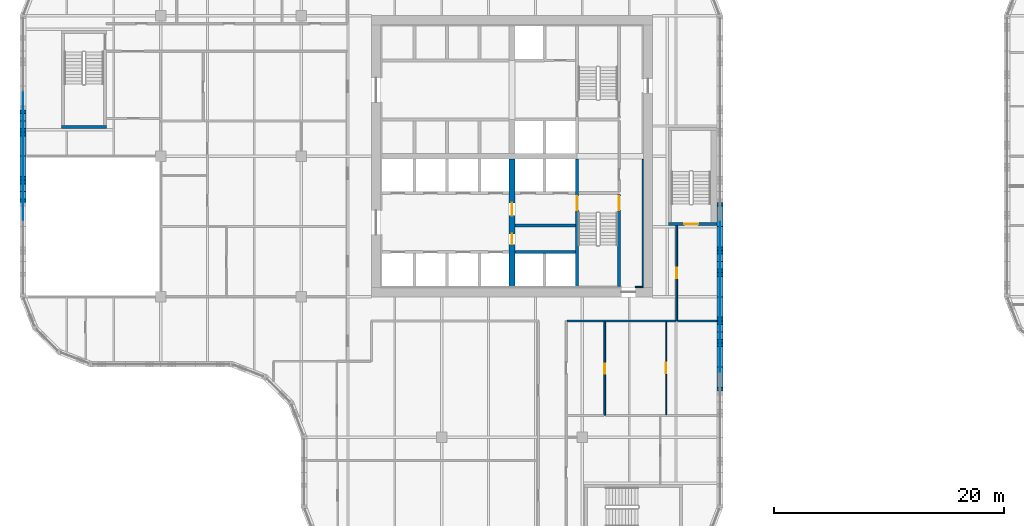
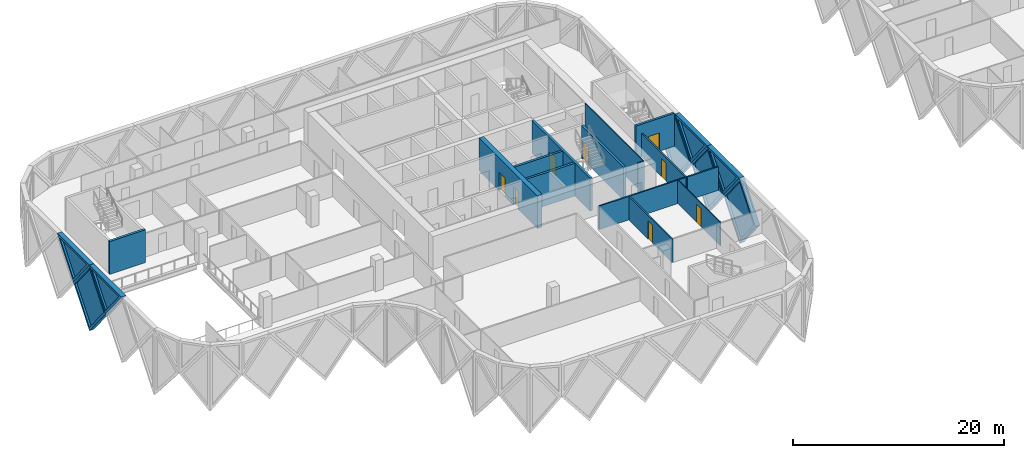
# One storey, part 9 of 24: 22 walls, 8 doors, 8 plates, 16 openings.
"""IFC4 building model written with IfcOpenShell, lengths in metres."""

from ifc_helpers import new_model, si_unit, direction, frame, frame_2d, origin, place, context, subcontext, project, spatial, polyline, rectangle, outline, extrude, faceted_brep, source, transform, mapped, material, layer, layer_set, type_object, element, fill, save


model = new_model("IFC4")

# Units and contexts
model_context = context("Model", 3, precision=1e-05, world=origin(), true_north=direction((0.0, 1.0)))
body_context = subcontext(model_context, "Body", "Model", "MODEL_VIEW")
ifc_project = project(units=[si_unit("LENGTHUNIT", "METRE"), si_unit("AREAUNIT", "SQUARE_METRE"), si_unit("VOLUMEUNIT", "CUBIC_METRE"), si_unit("PLANEANGLEUNIT", "RADIAN"), si_unit("MASSUNIT", "GRAM", prefix="KILO")], contexts=[model_context])

# Site, building, storey
site_placement = place(None, origin())
site = spatial("IfcSite", under=ifc_project, at=site_placement, CompositionType="ELEMENT")
building_placement = place(site_placement, origin())
building = spatial("IfcBuilding", under=site, at=building_placement, Name="Tessera Gate Towers", CompositionType="ELEMENT")
storey_placement = place(building_placement, frame((0.0, 0.0, 102.800048828125)))
storey = spatial("IfcBuildingStorey", under=building, at=storey_placement, Name="L25", CompositionType="ELEMENT", Elevation=102.800048828125)

# Wall, opening, door
ifc_material_1 = material(Name="Concrete C40/50", Category="concrete")
ifc_layer_1 = layer(ifc_material_1, 0.25)
ifc_layer_set_1 = layer_set([ifc_layer_1], Name="CORE ENCLOSURE WALL 250")
wall_type_1 = type_object("IfcWallType", Name="CORE ENCLOSURE WALL 250", PredefinedType="SOLIDWALL", material=ifc_layer_set_1)
wall_1_placement = place(storey_placement, frame((48.35009765625, 36.35009765625, 0.0), z_axis=(0.0, 0.0, 1.0), x_axis=(0.0, -1.0, 0.0)))
wall_1 = element("IfcWall", 1, at=wall_1_placement, inside=storey, type_object=wall_type_1, Name="L25 shaft and stair enclosure wall", PredefinedType="SOLIDWALL", context=body_context, shape_type="SweptSolid", body=[
    extrude(rectangle(XDim=11.050048828125, YDim=0.25, at=frame_2d((5.52490234375, 0.0))), origin(), (0.0, 0.0, 1.0), 3.800048828125),
])
shared_shape_1 = source(origin(), body_context, "Body", "SweptSolid", [
    extrude(rectangle(XDim=1.199951171875, YDim=2.10009765625, at=frame_2d((0.60009765625, 1.050048828125))), frame((0.0, 0.135009765625, 0.0), z_axis=(0.0, -1.0, 0.0), x_axis=(1.0, 0.0, 0.0)), (0.0, 0.0, 1.0), 0.27001953125),
])
opening_1_placement = place(wall_1_placement, frame((3.22509765625, 0.0, 0.0)))
opening_1 = element("IfcOpeningElement", 2, at=opening_1_placement, cuts=wall_1, Name="Opening SD-ST1-1", PredefinedType="OPENING", context=body_context, shape_type="MappedRepresentation", body=[
    mapped(shared_shape_1, transform((0.0, 0.0, 0.0), scale=1.0)),
])
ifc_material_2 = material(Name="Hollow steel fire door", Category="steel")
door_type_1 = type_object("IfcDoorType", Name="CORE DOOR SD 1200x2100", OperationType="NOTDEFINED", PredefinedType="DOOR", material=ifc_material_2)
shared_shape_2 = source(origin(), body_context, "Body", "SweptSolid", [
    extrude(rectangle(XDim=1.199951171875, YDim=2.10009765625, at=frame_2d((0.60009765625, 1.050048828125))), frame((0.0, 0.02490234375, 0.0), z_axis=(0.0, -1.0, 0.0), x_axis=(1.0, 0.0, 0.0)), (0.0, 0.0, 1.0), 0.050048828125),
])
door_1_placement = place(opening_1_placement, origin())
door_1 = element("IfcDoor", 3, at=door_1_placement, inside=storey, type_object=door_type_1, Name="Stair door", OperationType="SINGLE_SWING_LEFT", OverallHeight=2.10009765625, OverallWidth=1.199951171875, PredefinedType="DOOR", context=body_context, shape_type="MappedRepresentation", body=[
    mapped(shared_shape_2, transform((0.0, 0.0, 0.0), scale=1.0)),
])
fill(opening_1, door_1)

# Wall
wall_2_placement = place(storey_placement, frame((42.949951171875, 28.300048828125, 0.0), z_axis=(0.0, 0.0, 1.0), x_axis=(1.0, 0.0, 0.0)))
element("IfcWall", 4, at=wall_2_placement, inside=storey, type_object=wall_type_1, Name="L25 shaft and stair enclosure wall", PredefinedType="SOLIDWALL", context=body_context, shape_type="SweptSolid", body=[
    extrude(rectangle(XDim=5.275146484375, YDim=0.25, at=frame_2d((2.6376953125, 0.0))), origin(), (0.0, 0.0, 1.0), 3.800048828125),
])

# Wall, opening, door
wall_3_placement = place(storey_placement, frame((52.0, 25.300048828125, 0.0), z_axis=(0.0, 0.0, 1.0), x_axis=(0.0, 1.0, 0.0)))
wall_3 = element("IfcWall", 5, at=wall_3_placement, inside=storey, type_object=wall_type_1, Name="L25 shaft and stair enclosure wall", PredefinedType="SOLIDWALL", context=body_context, shape_type="SweptSolid", body=[
    extrude(rectangle(XDim=7.974853515625, YDim=0.25, at=frame_2d((3.9873046875, 0.0))), origin(), (0.0, 0.0, 1.0), 3.800048828125),
])
opening_2_placement = place(wall_3_placement, frame((6.625, 0.0, 0.0)))
opening_2 = element("IfcOpeningElement", 6, at=opening_2_placement, cuts=wall_3, Name="Opening SD-ST1-2", PredefinedType="OPENING", context=body_context, shape_type="MappedRepresentation", body=[
    mapped(shared_shape_1, transform((0.0, 0.0, 0.0), scale=1.0)),
])
door_2_placement = place(opening_2_placement, origin())
door_2 = element("IfcDoor", 7, at=door_2_placement, inside=storey, type_object=door_type_1, Name="Stair door", OperationType="SINGLE_SWING_RIGHT", OverallHeight=2.10009765625, OverallWidth=1.199951171875, PredefinedType="DOOR", context=body_context, shape_type="MappedRepresentation", body=[
    mapped(shared_shape_2, transform((0.0, 0.0, 0.0), scale=1.0)),
])
fill(opening_2, door_2)

# Walls
wall_4_placement = place(storey_placement, frame((42.949951171875, 30.60009765625, 0.0), z_axis=(0.0, 0.0, 1.0), x_axis=(1.0, 0.0, 0.0)))
element("IfcWall", 8, at=wall_4_placement, inside=storey, type_object=wall_type_1, Name="L25 shaft and stair enclosure wall", PredefinedType="SOLIDWALL", context=body_context, shape_type="SweptSolid", body=[
    extrude(rectangle(XDim=5.275146484375, YDim=0.25, at=frame_2d((2.6376953125, 0.0))), origin(), (0.0, 0.0, 1.0), 3.800048828125),
])
wall_5_placement = place(storey_placement, frame((7.5, 39.125, 0.0), z_axis=(0.0, 0.0, 1.0), x_axis=(-1.0, 0.0, 0.0)))
element("IfcWall", 9, at=wall_5_placement, inside=storey, type_object=wall_type_1, Name="L25 ST3 enclosure wall", PredefinedType="SOLIDWALL", context=body_context, shape_type="SweptSolid", body=[
    extrude(rectangle(XDim=3.89990234375, YDim=0.25, at=frame_2d((1.949951171875, 0.0))), origin(), (0.0, 0.0, 1.0), 3.800048828125),
])

# Wall, opening, door
wall_6_placement = place(storey_placement, frame((60.5, 30.72509765625, 0.0), z_axis=(0.0, 0.0, 1.0), x_axis=(-1.0, 0.0, 0.0)))
wall_6 = element("IfcWall", 10, at=wall_6_placement, inside=storey, type_object=wall_type_1, Name="L25 ST5 enclosure wall", PredefinedType="SOLIDWALL", context=body_context, shape_type="SweptSolid", body=[
    extrude(rectangle(XDim=4.199951171875, YDim=0.25, at=frame_2d((2.10009765625, 0.0))), origin(), (0.0, 0.0, 1.0), 3.800048828125),
])
opening_3_placement = place(wall_6_placement, frame((1.64990234375, 0.0, 0.0)))
opening_3 = element("IfcOpeningElement", 11, at=opening_3_placement, cuts=wall_6, Name="Opening SD-ST5-1", PredefinedType="OPENING", context=body_context, shape_type="MappedRepresentation", body=[
    mapped(shared_shape_1, transform((0.0, 0.0, 0.0), scale=1.0)),
])
door_3_placement = place(opening_3_placement, origin())
door_3 = element("IfcDoor", 12, at=door_3_placement, inside=storey, type_object=door_type_1, Name="Stair door", OperationType="SINGLE_SWING_RIGHT", OverallHeight=2.10009765625, OverallWidth=1.199951171875, PredefinedType="DOOR", context=body_context, shape_type="MappedRepresentation", body=[
    mapped(shared_shape_2, transform((0.0, 0.0, 0.0), scale=1.0)),
])
fill(opening_3, door_3)

# Wall, openings, doors
ifc_material_3 = material(Name="Concrete C60/75", Category="concrete")
ifc_layer_2 = layer(ifc_material_3, 0.5)
ifc_layer_set_2 = layer_set([ifc_layer_2], Name="CORE SPINE WALL 500 C60/75")
wall_type_2 = type_object("IfcWallType", Name="CORE SPINE WALL 500 C60/75", PredefinedType="SHEAR", material=ifc_layer_set_2)
wall_7_placement = place(storey_placement, frame((42.699951171875, 36.35009765625, 0.0), z_axis=(0.0, 0.0, 1.0), x_axis=(0.0, -1.0, 0.0)))
wall_7 = element("IfcWall", 13, at=wall_7_placement, inside=storey, type_object=wall_type_2, Name="Core wall spine L25", PredefinedType="SHEAR", context=body_context, shape_type="SweptSolid", body=[
    extrude(rectangle(XDim=11.050048828125, YDim=0.5, at=frame_2d((5.52490234375, 0.0))), origin(), (0.0, 0.0, 1.0), 3.800048828125),
])
shared_shape_3 = source(origin(), body_context, "Body", "SweptSolid", [
    extrude(rectangle(XDim=0.89990234375, YDim=2.10009765625, at=frame_2d((0.449951171875, 1.050048828125))), frame((0.0, 0.260009765625, 0.0), z_axis=(0.0, -1.0, 0.0), x_axis=(1.0, 0.0, 0.0)), (0.0, 0.0, 1.0), 0.52001953125),
])
opening_4_placement = place(wall_7_placement, frame((6.5, 0.0, 0.0)))
opening_4 = element("IfcOpeningElement", 14, at=opening_4_placement, cuts=wall_7, Name="Opening RD-T1-17-05", PredefinedType="OPENING", context=body_context, shape_type="MappedRepresentation", body=[
    mapped(shared_shape_3, transform((0.0, 0.0, 0.0), scale=1.0)),
])
shared_shape_4 = source(origin(), body_context, "Body", "SweptSolid", [
    extrude(rectangle(XDim=1.10009765625, YDim=2.10009765625, at=frame_2d((0.550048828125, 1.050048828125))), frame((0.0, 0.260009765625, 0.0), z_axis=(0.0, -1.0, 0.0), x_axis=(1.0, 0.0, 0.0)), (0.0, 0.0, 1.0), 0.52001953125),
])
opening_5_placement = place(wall_7_placement, frame((3.800048828125, 0.0, 0.0)))
opening_5 = element("IfcOpeningElement", 15, at=opening_5_placement, cuts=wall_7, Name="Opening FD-T1-17-06", PredefinedType="OPENING", context=body_context, shape_type="MappedRepresentation", body=[
    mapped(shared_shape_4, transform((0.0, 0.0, 0.0), scale=1.0)),
])
ifc_material_4 = material(Name="Hollow steel fire door", Category="steel")
door_type_2 = type_object("IfcDoorType", Name="CORE DOOR RD 900x2100", OperationType="NOTDEFINED", PredefinedType="DOOR", material=ifc_material_4)
shared_shape_5 = source(origin(), body_context, "Body", "SweptSolid", [
    extrude(rectangle(XDim=0.89990234375, YDim=2.10009765625, at=frame_2d((0.449951171875, 1.050048828125))), frame((0.0, 0.02490234375, 0.0), z_axis=(0.0, -1.0, 0.0), x_axis=(1.0, 0.0, 0.0)), (0.0, 0.0, 1.0), 0.050048828125),
])
door_4_placement = place(opening_4_placement, origin())
door_4 = element("IfcDoor", 16, at=door_4_placement, inside=storey, type_object=door_type_2, Name="Core room door", OperationType="SINGLE_SWING_RIGHT", OverallHeight=2.10009765625, OverallWidth=0.89990234375, PredefinedType="DOOR", context=body_context, shape_type="MappedRepresentation", body=[
    mapped(shared_shape_5, transform((0.0, 0.0, 0.0), scale=1.0)),
])
fill(opening_4, door_4)
ifc_material_5 = material(Name="Hollow steel fire door", Category="steel")
door_type_3 = type_object("IfcDoorType", Name="CORE DOOR FD 1100x2100", OperationType="NOTDEFINED", PredefinedType="DOOR", material=ifc_material_5)
shared_shape_6 = source(origin(), body_context, "Body", "SweptSolid", [
    extrude(rectangle(XDim=1.10009765625, YDim=2.10009765625, at=frame_2d((0.550048828125, 1.050048828125))), frame((0.0, 0.02490234375, 0.0), z_axis=(0.0, -1.0, 0.0), x_axis=(1.0, 0.0, 0.0)), (0.0, 0.0, 1.0), 0.050048828125),
])
door_5_placement = place(opening_5_placement, origin())
door_5 = element("IfcDoor", 17, at=door_5_placement, inside=storey, type_object=door_type_3, Name="Fire-fighting lobby door", OperationType="SINGLE_SWING_LEFT", OverallHeight=2.10009765625, OverallWidth=1.10009765625, PredefinedType="DOOR", context=body_context, shape_type="MappedRepresentation", body=[
    mapped(shared_shape_6, transform((0.0, 0.0, 0.0), scale=1.0)),
])
fill(opening_5, door_5)

# Walls
ifc_material_6 = material(Name="Concrete C60/75", Category="concrete")
ifc_layer_3 = layer(ifc_material_6, 0.10009765625)
ifc_layer_set_3 = layer_set([ifc_layer_3], Name="CORE WALL THICKENING 100")
wall_type_3 = type_object("IfcWallType", Name="CORE WALL THICKENING 100", PredefinedType="SOLIDWALL", material=ifc_layer_set_3)
wall_8_placement = place(storey_placement, frame((53.39990234375, 25.25, 0.0), z_axis=(0.0, 0.0, 1.0), x_axis=(1.0, 0.0, 0.0)))
element("IfcWall", 18, at=wall_8_placement, inside=storey, type_object=wall_type_3, Name="Core wall thickening S L25", PredefinedType="SOLIDWALL", context=body_context, shape_type="SweptSolid", body=[
    extrude(rectangle(XDim=0.7001953125, YDim=0.10009765625, at=frame_2d((0.35009765625, 0.0))), origin(), (0.0, 0.0, 1.0), 3.800048828125),
])
wall_9_placement = place(storey_placement, frame((54.050048828125, 25.300048828125, 0.0), z_axis=(0.0, 0.0, 1.0), x_axis=(0.0, 1.0, 0.0)))
element("IfcWall", 19, at=wall_9_placement, inside=storey, type_object=wall_type_3, Name="Core wall thickening E L25", PredefinedType="SOLIDWALL", context=body_context, shape_type="SweptSolid", body=[
    extrude(rectangle(XDim=11.02001953125, YDim=0.10009765625, at=frame_2d((5.510009765625, 0.0))), origin(), (0.0, 0.0, 1.0), 3.800048828125),
])
ifc_material_7 = material(Name="Gypsum board on steel studs, mineral wool", Category="steel")
ifc_layer_4 = layer(ifc_material_7, 0.14990234375)
ifc_layer_set_4 = layer_set([ifc_layer_4], Name="CORRIDOR WALL 150")
wall_type_4 = type_object("IfcWallType", Name="CORRIDOR WALL 150", PredefinedType="PARTITIONING", material=ifc_layer_set_4)
wall_10_placement = place(storey_placement, frame((47.47607421875, 22.300048828125, 0.0), z_axis=(0.0, 0.0, 1.0), x_axis=(1.0, 0.0, 0.0)))
element("IfcWall", 20, at=wall_10_placement, inside=storey, type_object=wall_type_4, Name="T1-L25-PW-024", PredefinedType="PARTITIONING", context=body_context, shape_type="SweptSolid", body=[
    extrude(rectangle(XDim=9.447998046875, YDim=0.14990234375, at=frame_2d((4.72412109375, 0.0))), origin(), (0.0, 0.0, 1.0), 2.71484375),
])

# Wall, opening, door
wall_11_placement = place(storey_placement, frame((57.0, 30.60009765625, 0.0), z_axis=(0.0, 0.0, 1.0), x_axis=(0.0, -1.0, 0.0)))
wall_11 = element("IfcWall", 21, at=wall_11_placement, inside=storey, type_object=wall_type_4, Name="T1-L25-PW-025", PredefinedType="PARTITIONING", context=body_context, shape_type="SweptSolid", body=[
    extrude(rectangle(XDim=8.300048828125, YDim=0.14990234375, at=frame_2d((4.14990234375, 0.0))), origin(), (0.0, 0.0, 1.0), 2.71484375),
])
shared_shape_7 = source(origin(), body_context, "Body", "SweptSolid", [
    extrude(rectangle(XDim=0.89990234375, YDim=2.10009765625, at=frame_2d((0.449951171875, 1.050048828125))), frame((0.0, 0.0849609375, 0.0), z_axis=(0.0, -1.0, 0.0), x_axis=(1.0, 0.0, 0.0)), (0.0, 0.0, 1.0), 0.169921875),
])
opening_6_placement = place(wall_11_placement, frame((3.699951171875, 0.0, 0.0)))
opening_6 = element("IfcOpeningElement", 22, at=opening_6_placement, cuts=wall_11, Name="Opening D890FD60-A09-06", PredefinedType="OPENING", context=body_context, shape_type="MappedRepresentation", body=[
    mapped(shared_shape_7, transform((0.0, 0.0, 0.0), scale=1.0)),
])
ifc_material_8 = material(Name="Timber door leaf in steel frame", Category="steel")
door_type_4 = type_object("IfcDoorType", Name="CORRIDOR DOOR 900 FD60", OperationType="NOTDEFINED", PredefinedType="DOOR", material=ifc_material_8)
door_6_placement = place(opening_6_placement, origin())
door_6 = element("IfcDoor", 23, at=door_6_placement, inside=storey, type_object=door_type_4, Name="T1-L25-PD-023", OperationType="SINGLE_SWING_RIGHT", OverallHeight=2.10009765625, OverallWidth=0.89990234375, PredefinedType="DOOR", context=body_context, shape_type="MappedRepresentation", body=[
    mapped(shared_shape_5, transform((0.0, 0.0, 0.0), scale=1.0)),
])
fill(opening_6, door_6)

ifc_material_9 = material(Name="Gypsum board on steel studs", Category="steel")
ifc_layer_5 = layer(ifc_material_9, 0.10009765625)
ifc_layer_set_5 = layer_set([ifc_layer_5], Name="PARTITION 100")
wall_type_5 = type_object("IfcWallType", Name="PARTITION 100", PredefinedType="PARTITIONING", material=ifc_layer_set_5)
wall_12_placement = place(storey_placement, frame((56.076904296875, 22.22412109375, 0.0), z_axis=(0.0, 0.0, 1.0), x_axis=(0.0, -1.0, 0.0)))
wall_12 = element("IfcWall", 24, at=wall_12_placement, inside=storey, type_object=wall_type_5, Name="T1-L25-PW-015", PredefinedType="PARTITIONING", context=body_context, shape_type="SweptSolid", body=[
    extrude(rectangle(XDim=8.048095703125, YDim=0.10009765625, at=frame_2d((4.02392578125, 0.0))), origin(), (0.0, 0.0, 1.0), 2.71484375),
])
shared_shape_8 = source(origin(), body_context, "Body", "SweptSolid", [
    extrude(rectangle(XDim=0.89990234375, YDim=2.10009765625, at=frame_2d((0.449951171875, 1.050048828125))), frame((0.0, 0.06005859375, 0.0), z_axis=(0.0, -1.0, 0.0), x_axis=(1.0, 0.0, 0.0)), (0.0, 0.0, 1.0), 0.1201171875),
])
opening_7_placement = place(wall_12_placement, frame((3.548095703125, 0.0, 0.0)))
opening_7 = element("IfcOpeningElement", 25, at=opening_7_placement, cuts=wall_12, Name="Opening D190-A09-10", PredefinedType="OPENING", context=body_context, shape_type="MappedRepresentation", body=[
    mapped(shared_shape_8, transform((0.0, 0.0, 0.0), scale=1.0)),
])
ifc_material_10 = material(Name="Timber door leaf in steel frame", Category="steel")
door_type_5 = type_object("IfcDoorType", Name="INTERNAL DOOR 900 NOT RATED", OperationType="NOTDEFINED", PredefinedType="DOOR", material=ifc_material_10)
door_7_placement = place(opening_7_placement, origin())
door_7 = element("IfcDoor", 26, at=door_7_placement, inside=storey, type_object=door_type_5, Name="T1-L25-PD-020", OperationType="SINGLE_SWING_RIGHT", OverallHeight=2.10009765625, OverallWidth=0.89990234375, PredefinedType="DOOR", context=body_context, shape_type="MappedRepresentation", body=[
    mapped(shared_shape_5, transform((0.0, 0.0, 0.0), scale=1.0)),
])
fill(opening_7, door_7)

ifc_material_11 = material(Name="Gypsum board on steel studs, mineral wool", Category="steel")
ifc_layer_6 = layer(ifc_material_11, 0.14990234375)
ifc_layer_set_6 = layer_set([ifc_layer_6], Name="TENANCY WALL 150")
wall_type_6 = type_object("IfcWallType", Name="TENANCY WALL 150", PredefinedType="PARTITIONING", material=ifc_layer_set_6)
wall_13_placement = place(storey_placement, frame((50.75, 22.22412109375, 0.0), z_axis=(0.0, 0.0, 1.0), x_axis=(0.0, -1.0, 0.0)))
wall_13 = element("IfcWall", 27, at=wall_13_placement, inside=storey, type_object=wall_type_6, Name="T1-L25-PW-013", PredefinedType="PARTITIONING", context=body_context, shape_type="SweptSolid", body=[
    extrude(rectangle(XDim=8.1240234375, YDim=0.14990234375, at=frame_2d((4.06201171875, 0.0))), origin(), (0.0, 0.0, 1.0), 2.71484375),
])
opening_8_placement = place(wall_13_placement, frame((3.6240234375, 0.0, 0.0)))
opening_8 = element("IfcOpeningElement", 28, at=opening_8_placement, cuts=wall_13, Name="Opening D190-A09-11", PredefinedType="OPENING", context=body_context, shape_type="MappedRepresentation", body=[
    mapped(shared_shape_7, transform((0.0, 0.0, 0.0), scale=1.0)),
])
door_8_placement = place(opening_8_placement, origin())
door_8 = element("IfcDoor", 29, at=door_8_placement, inside=storey, type_object=door_type_5, Name="T1-L25-PD-021", OperationType="SINGLE_SWING_RIGHT", OverallHeight=2.10009765625, OverallWidth=0.89990234375, PredefinedType="DOOR", context=body_context, shape_type="MappedRepresentation", body=[
    mapped(shared_shape_5, transform((0.0, 0.0, 0.0), scale=1.0)),
])
fill(opening_8, door_8)

# Wall
wall_14_placement = place(storey_placement, frame((57.075927734375, 22.300048828125, 0.0), z_axis=(0.0, 0.0, 1.0), x_axis=(1.0, 0.0, 0.0)))
element("IfcWall", 30, at=wall_14_placement, inside=storey, type_object=wall_type_6, Name="T1-L25-PW-026", PredefinedType="PARTITIONING", context=body_context, shape_type="SweptSolid", body=[
    extrude(rectangle(XDim=3.424072265625, YDim=0.14990234375, at=frame_2d((1.7119140625, 0.0))), origin(), (0.0, 0.0, 1.0), 2.71484375),
])

# Wall, opening, plate
ifc_material_12 = material(Name="Precast concrete C60/75 white", Category="concrete")
ifc_layer_7 = layer(ifc_material_12, 0.5)
ifc_layer_set_7 = layer_set([ifc_layer_7], Name="TS1 tessera")
wall_type_7 = type_object("IfcWallType", Name="TS1 tessera", PredefinedType="SOLIDWALL", material=ifc_layer_set_7)
shared_shape_9 = source(origin(), body_context, "Body", "Brep", [
    faceted_brep([(3.050048828125, -0.25, 0.0), (6.099853515625, -0.25, 3.7998046875), (6.099853515625, -0.25, 3.80029296875), (3.050048828125, -0.25, 7.60009765625), (0.0, -0.25, 3.800048828125), (0.0, 0.25, 3.800048828125), (3.050048828125, 0.25, 7.60009765625), (6.099853515625, 0.25, 3.80029296875), (6.099853515625, 0.25, 3.7998046875), (3.050048828125, 0.25, 0.0)], [[[0, 1, 2, 3, 4]], [[5, 6, 7, 8, 9]], [[9, 8, 1, 0]], [[7, 6, 3, 2]], [[6, 5, 4, 3]], [[5, 9, 0, 4]], [[1, 8, 7, 2]]]),
])
wall_15_placement = place(storey_placement, frame((60.75, 21.35009765625, -3.800048828125), z_axis=(0.0, 0.0, 1.0), x_axis=(0.0, 1.0, 0.0)))
wall_15 = element("IfcWall", 31, at=wall_15_placement, inside=storey, type_object=wall_type_7, Name="Precast tessera T1 TS1-0420", PredefinedType="SOLIDWALL", context=body_context, shape_type="MappedRepresentation", body=[
    mapped(shared_shape_9, transform((0.0, 0.0, 0.0), scale=1.0)),
])
shared_shape_10 = source(origin(), body_context, "Body", "SweptSolid", [
    extrude(outline(polyline([(3.050048828125, 0.3994140625), (5.779541015625, 3.800048828125), (3.050048828125, 7.20068359375), (0.320556640625, 3.800048828125), (3.050048828125, 0.3994140625)])), frame((0.0, 0.260009765625, 0.0), z_axis=(0.0, -1.0, 0.0), x_axis=(1.0, 0.0, 0.0)), (0.0, 0.0, 1.0), 0.52001953125),
])
opening_9_placement = place(wall_15_placement, origin())
opening_9 = element("IfcOpeningElement", 32, at=opening_9_placement, cuts=wall_15, Name="Opening T1-PL2-0856", PredefinedType="OPENING", context=body_context, shape_type="MappedRepresentation", body=[
    mapped(shared_shape_10, transform((0.0, 0.0, 0.0), scale=1.0)),
])
ifc_material_13 = material(Name="Low-e laminated glass", Category="glass")
ifc_layer_8 = layer(ifc_material_13, 0.06005859375)
ifc_layer_set_8 = layer_set([ifc_layer_8], Name="PL2 rhombic pane")
plate_type_1 = type_object("IfcPlateType", Name="PL2 rhombic pane", PredefinedType="SHEET", material=ifc_layer_set_8)
shared_shape_11 = source(origin(), body_context, "Body", "SweptSolid", [
    extrude(outline(polyline([(3.050048828125, 0.3994140625), (5.779541015625, 3.800048828125), (3.050048828125, 7.20068359375), (0.320556640625, 3.800048828125), (3.050048828125, 0.3994140625)])), frame((0.0, 0.030029296875, 0.0), z_axis=(0.0, -1.0, 0.0), x_axis=(1.0, 0.0, 0.0)), (0.0, 0.0, 1.0), 0.06005859375),
])
plate_1_placement = place(opening_9_placement, origin())
plate_1 = element("IfcPlate", 33, at=plate_1_placement, inside=storey, type_object=plate_type_1, Name="Glass pane T1 PL2-0856", PredefinedType="SHEET", context=body_context, shape_type="MappedRepresentation", body=[
    mapped(shared_shape_11, transform((0.0, 0.0, 0.0), scale=1.0)),
])
fill(opening_9, plate_1)

wall_16_placement = place(storey_placement, frame((0.25, 39.64990234375, -3.800048828125), z_axis=(0.0, 0.0, 1.0), x_axis=(0.0, -1.0, 0.0)))
wall_16 = element("IfcWall", 34, at=wall_16_placement, inside=storey, type_object=wall_type_7, Name="Precast tessera T1 TS1-0433", PredefinedType="SOLIDWALL", context=body_context, shape_type="MappedRepresentation", body=[
    mapped(shared_shape_9, transform((0.0, 0.0, 0.0), scale=1.0)),
])
opening_10_placement = place(wall_16_placement, origin())
opening_10 = element("IfcOpeningElement", 35, at=opening_10_placement, cuts=wall_16, Name="Opening T1-PL2-0877", PredefinedType="OPENING", context=body_context, shape_type="MappedRepresentation", body=[
    mapped(shared_shape_10, transform((0.0, 0.0, 0.0), scale=1.0)),
])
plate_2_placement = place(opening_10_placement, origin())
plate_2 = element("IfcPlate", 36, at=plate_2_placement, inside=storey, type_object=plate_type_1, Name="Glass pane T1 PL2-0877", PredefinedType="SHEET", context=body_context, shape_type="MappedRepresentation", body=[
    mapped(shared_shape_11, transform((0.0, 0.0, 0.0), scale=1.0)),
])
fill(opening_10, plate_2)

shared_shape_12 = source(origin(), body_context, "Body", "SweptSolid", [
    extrude(outline(polyline([(3.050048828125, 0.0), (6.10009765625, 3.800048828125), (3.050048828125, 7.60009765625), (0.0, 3.800048828125), (3.050048828125, 0.0)])), frame((0.0, 0.25, 0.0), z_axis=(0.0, -1.0, 0.0), x_axis=(1.0, 0.0, 0.0)), (0.0, 0.0, 1.0), 0.5),
])
wall_17_placement = place(storey_placement, frame((60.75, 15.25, -3.800048828125), z_axis=(0.0, 0.0, 1.0), x_axis=(0.0, 1.0, 0.0)))
wall_17 = element("IfcWall", 37, at=wall_17_placement, inside=storey, type_object=wall_type_7, Name="Precast tessera T1 TS1-0419", PredefinedType="SOLIDWALL", context=body_context, shape_type="MappedRepresentation", body=[
    mapped(shared_shape_12, transform((0.0, 0.0, 0.0), scale=1.0)),
])
opening_11_placement = place(wall_17_placement, origin())
opening_11 = element("IfcOpeningElement", 38, at=opening_11_placement, cuts=wall_17, Name="Opening T1-PL2-0855", PredefinedType="OPENING", context=body_context, shape_type="MappedRepresentation", body=[
    mapped(shared_shape_10, transform((0.0, 0.0, 0.0), scale=1.0)),
])
plate_3_placement = place(opening_11_placement, origin())
plate_3 = element("IfcPlate", 39, at=plate_3_placement, inside=storey, type_object=plate_type_1, Name="Glass pane T1 PL2-0855", PredefinedType="SHEET", context=body_context, shape_type="MappedRepresentation", body=[
    mapped(shared_shape_11, transform((0.0, 0.0, 0.0), scale=1.0)),
])
fill(opening_11, plate_3)

wall_18_placement = place(storey_placement, frame((60.75, 27.449951171875, -3.800048828125), z_axis=(0.0, 0.0, 1.0), x_axis=(0.0, 1.0, 0.0)))
wall_18 = element("IfcWall", 40, at=wall_18_placement, inside=storey, type_object=wall_type_7, Name="Precast tessera T1 TS1-0421", PredefinedType="SOLIDWALL", context=body_context, shape_type="MappedRepresentation", body=[
    mapped(shared_shape_12, transform((0.0, 0.0, 0.0), scale=1.0)),
])
opening_12_placement = place(wall_18_placement, origin())
opening_12 = element("IfcOpeningElement", 41, at=opening_12_placement, cuts=wall_18, Name="Opening T1-PL2-0857", PredefinedType="OPENING", context=body_context, shape_type="MappedRepresentation", body=[
    mapped(shared_shape_10, transform((0.0, 0.0, 0.0), scale=1.0)),
])
plate_4_placement = place(opening_12_placement, origin())
plate_4 = element("IfcPlate", 42, at=plate_4_placement, inside=storey, type_object=plate_type_1, Name="Glass pane T1 PL2-0857", PredefinedType="SHEET", context=body_context, shape_type="MappedRepresentation", body=[
    mapped(shared_shape_11, transform((0.0, 0.0, 0.0), scale=1.0)),
])
fill(opening_12, plate_4)

ifc_material_14 = material(Name="Precast concrete C60/75 white", Category="concrete")
ifc_layer_9 = layer(ifc_material_14, 0.5)
ifc_layer_set_9 = layer_set([ifc_layer_9], Name="TS2 half tessera")
wall_type_8 = type_object("IfcWallType", Name="TS2 half tessera", PredefinedType="SOLIDWALL", material=ifc_layer_set_9)
shared_shape_13 = source(origin(), body_context, "Body", "Brep", [
    faceted_brep([(3.050048828125, -0.25, 0.0), (6.099853515625, -0.25, 3.7998046875), (6.099853515625, -0.25, 3.800048828125), (0.0, -0.25, 3.800048828125), (0.0, 0.25, 3.800048828125), (6.099853515625, 0.25, 3.800048828125), (6.099853515625, 0.25, 3.7998046875), (3.050048828125, 0.25, 0.0)], [[[0, 1, 2, 3]], [[4, 5, 6, 7]], [[7, 6, 1, 0]], [[5, 4, 3, 2]], [[4, 7, 0, 3]], [[1, 6, 5, 2]]]),
])
wall_19_placement = place(storey_placement, frame((60.75, 18.300048828125, 0.0), z_axis=(0.0, 0.0, 1.0), x_axis=(0.0, 1.0, 0.0)))
wall_19 = element("IfcWall", 43, at=wall_19_placement, inside=storey, type_object=wall_type_8, Name="Precast half tessera T1 TS2-0120", PredefinedType="SOLIDWALL", context=body_context, shape_type="MappedRepresentation", body=[
    mapped(shared_shape_13, transform((0.0, 0.0, 0.0), scale=1.0)),
])
shared_shape_14 = source(origin(), body_context, "Body", "SweptSolid", [
    extrude(outline(polyline([(3.050048828125, 0.3994140625), (5.578857421875, 3.550048828125), (0.521240234375, 3.550048828125), (3.050048828125, 0.3994140625)])), frame((0.0, 0.260009765625, 0.0), z_axis=(0.0, -1.0, 0.0), x_axis=(1.0, 0.0, 0.0)), (0.0, 0.0, 1.0), 0.52001953125),
])
opening_13_placement = place(wall_19_placement, origin())
opening_13 = element("IfcOpeningElement", 44, at=opening_13_placement, cuts=wall_19, Name="Opening T1-PL1-0246", PredefinedType="OPENING", context=body_context, shape_type="MappedRepresentation", body=[
    mapped(shared_shape_14, transform((0.0, 0.0, 0.0), scale=1.0)),
])
ifc_material_15 = material(Name="Low-e laminated glass", Category="glass")
ifc_layer_10 = layer(ifc_material_15, 0.06005859375)
ifc_layer_set_10 = layer_set([ifc_layer_10], Name="PL1 triangular pane")
plate_type_2 = type_object("IfcPlateType", Name="PL1 triangular pane", PredefinedType="SHEET", material=ifc_layer_set_10)
shared_shape_15 = source(origin(), body_context, "Body", "SweptSolid", [
    extrude(outline(polyline([(3.050048828125, 0.3994140625), (5.578857421875, 3.550048828125), (0.521240234375, 3.550048828125), (3.050048828125, 0.3994140625)])), frame((0.0, 0.030029296875, 0.0), z_axis=(0.0, -1.0, 0.0), x_axis=(1.0, 0.0, 0.0)), (0.0, 0.0, 1.0), 0.06005859375),
])
plate_5_placement = place(opening_13_placement, origin())
plate_5 = element("IfcPlate", 45, at=plate_5_placement, inside=storey, type_object=plate_type_2, Name="Glass pane T1 PL1-0246", PredefinedType="SHEET", context=body_context, shape_type="MappedRepresentation", body=[
    mapped(shared_shape_15, transform((0.0, 0.0, 0.0), scale=1.0)),
])
fill(opening_13, plate_5)

wall_20_placement = place(storey_placement, frame((0.25, 42.699951171875, 0.0), z_axis=(0.0, 0.0, 1.0), x_axis=(0.0, -1.0, 0.0)))
wall_20 = element("IfcWall", 46, at=wall_20_placement, inside=storey, type_object=wall_type_8, Name="Precast half tessera T1 TS2-0133", PredefinedType="SOLIDWALL", context=body_context, shape_type="MappedRepresentation", body=[
    mapped(shared_shape_13, transform((0.0, 0.0, 0.0), scale=1.0)),
])
opening_14_placement = place(wall_20_placement, origin())
opening_14 = element("IfcOpeningElement", 47, at=opening_14_placement, cuts=wall_20, Name="Opening T1-PL1-0267", PredefinedType="OPENING", context=body_context, shape_type="MappedRepresentation", body=[
    mapped(shared_shape_14, transform((0.0, 0.0, 0.0), scale=1.0)),
])
plate_6_placement = place(opening_14_placement, origin())
plate_6 = element("IfcPlate", 48, at=plate_6_placement, inside=storey, type_object=plate_type_2, Name="Glass pane T1 PL1-0267", PredefinedType="SHEET", context=body_context, shape_type="MappedRepresentation", body=[
    mapped(shared_shape_15, transform((0.0, 0.0, 0.0), scale=1.0)),
])
fill(opening_14, plate_6)

shared_shape_16 = source(origin(), body_context, "Body", "SweptSolid", [
    extrude(outline(polyline([(3.050048828125, 0.0), (6.10009765625, 3.800048828125), (0.0, 3.800048828125), (3.050048828125, 0.0)])), frame((0.0, 0.25, 0.0), z_axis=(0.0, -1.0, 0.0), x_axis=(1.0, 0.0, 0.0)), (0.0, 0.0, 1.0), 0.5),
])
wall_21_placement = place(storey_placement, frame((60.75, 24.39990234375, 0.0), z_axis=(0.0, 0.0, 1.0), x_axis=(0.0, 1.0, 0.0)))
wall_21 = element("IfcWall", 49, at=wall_21_placement, inside=storey, type_object=wall_type_8, Name="Precast half tessera T1 TS2-0121", PredefinedType="SOLIDWALL", context=body_context, shape_type="MappedRepresentation", body=[
    mapped(shared_shape_16, transform((0.0, 0.0, 0.0), scale=1.0)),
])
opening_15_placement = place(wall_21_placement, origin())
opening_15 = element("IfcOpeningElement", 50, at=opening_15_placement, cuts=wall_21, Name="Opening T1-PL1-0247", PredefinedType="OPENING", context=body_context, shape_type="MappedRepresentation", body=[
    mapped(shared_shape_14, transform((0.0, 0.0, 0.0), scale=1.0)),
])
plate_7_placement = place(opening_15_placement, origin())
plate_7 = element("IfcPlate", 51, at=plate_7_placement, inside=storey, type_object=plate_type_2, Name="Glass pane T1 PL1-0247", PredefinedType="SHEET", context=body_context, shape_type="MappedRepresentation", body=[
    mapped(shared_shape_15, transform((0.0, 0.0, 0.0), scale=1.0)),
])
fill(opening_15, plate_7)

wall_22_placement = place(storey_placement, frame((0.25, 36.60009765625, 0.0), z_axis=(0.0, 0.0, 1.0), x_axis=(0.0, -1.0, 0.0)))
wall_22 = element("IfcWall", 52, at=wall_22_placement, inside=storey, type_object=wall_type_8, Name="Precast half tessera T1 TS2-0134", PredefinedType="SOLIDWALL", context=body_context, shape_type="MappedRepresentation", body=[
    mapped(shared_shape_16, transform((0.0, 0.0, 0.0), scale=1.0)),
])
opening_16_placement = place(wall_22_placement, origin())
opening_16 = element("IfcOpeningElement", 53, at=opening_16_placement, cuts=wall_22, Name="Opening T1-PL1-0268", PredefinedType="OPENING", context=body_context, shape_type="MappedRepresentation", body=[
    mapped(shared_shape_14, transform((0.0, 0.0, 0.0), scale=1.0)),
])
plate_8_placement = place(opening_16_placement, origin())
plate_8 = element("IfcPlate", 54, at=plate_8_placement, inside=storey, type_object=plate_type_2, Name="Glass pane T1 PL1-0268", PredefinedType="SHEET", context=body_context, shape_type="MappedRepresentation", body=[
    mapped(shared_shape_15, transform((0.0, 0.0, 0.0), scale=1.0)),
])
fill(opening_16, plate_8)

save(model, "model.ifc")
